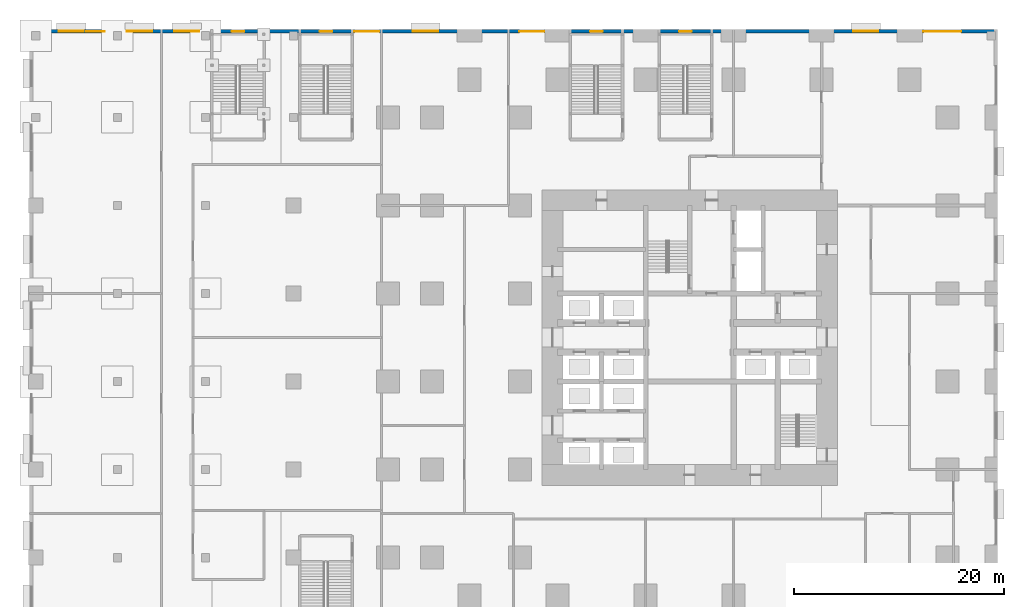
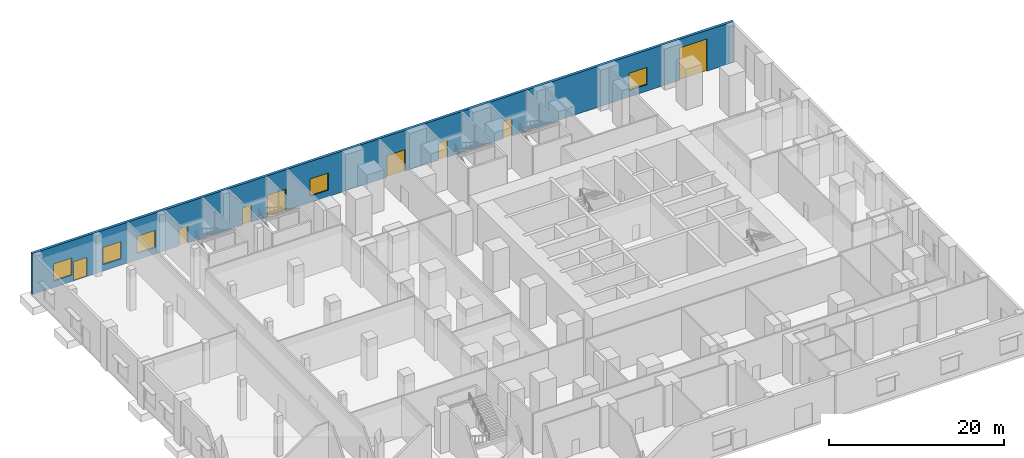
# One storey, part 21 of 26: 8 doors, 5 windows, 1 wall, 13 openings.
"""IFC4 building model written with IfcOpenShell, lengths in metres."""

import ifcopenshell
import ifcopenshell.guid

model = None  # the IFC model being written
_history = None  # IfcOwnerHistory: only IFC2X3 demands one
_inside = {}  # id of a spatial element -> (the spatial element, [elements in it])
_under = {}  # id of a project, library or spatial element -> (it, [spatial elements below it])
_declared = {}  # id of a project -> (the project, [libraries it declares])
_typed = {}  # id of a type object -> (the type object, [elements of that type])
_made_of = {}  # id of a material, layer set ... -> (it, [elements and type objects made of it])


def new_model(schema):
    """Start an empty IFC model of exactly this schema.

    Asked for "IFC4X3", IfcOpenShell would pick the latest addendum, in which some entities
    have other attributes; the version numbers below select the first issue.
    IFC2X3 requires an IfcOwnerHistory on every rooted entity: one is made here for all.
    """
    global model, _history
    if schema == "IFC4X3":
        model = ifcopenshell.file(schema_version=(4, 3, 0, 0))
    else:
        model = ifcopenshell.file(schema=schema)
    _inside.clear()
    _under.clear()
    _declared.clear()
    _typed.clear()
    _made_of.clear()
    _history = None
    if model.schema == "IFC2X3":
        org = make("IfcOrganization", Name="unknown")
        user = make(
            "IfcPersonAndOrganization",
            ThePerson=make("IfcPerson", FamilyName="unknown"),
            TheOrganization=org,
        )
        app = make(
            "IfcApplication",
            ApplicationDeveloper=org,
            Version="unknown",
            ApplicationFullName="unknown",
            ApplicationIdentifier="unknown",
        )
        _history = make(
            "IfcOwnerHistory",
            OwningUser=user,
            OwningApplication=app,
            ChangeAction="ADDED",
            CreationDate=0,
        )
    return model


def make(cls, **values):
    """One entity of the class cls with the attributes given. An attribute that is None is left unset."""
    return model.create_entity(
        cls, **{name: value for name, value in values.items() if value is not None}
    )


def rooted(cls, **values):
    """An entity with a GlobalId (a new one), such as an element, a storey or a relation."""
    return make(cls, GlobalId=ifcopenshell.guid.new(), OwnerHistory=_history, **values)


def si_unit(unit_type, name, prefix=None):
    """IfcSIUnit, for example si_unit("LENGTHUNIT", "METRE", prefix="MILLI")."""
    return make("IfcSIUnit", UnitType=unit_type, Prefix=prefix, Name=name)


def assignment(units):
    """IfcUnitAssignment: the units of a project."""
    return None if units is None else make("IfcUnitAssignment", Units=units)


def point(xyz):
    """IfcCartesianPoint."""
    return None if xyz is None else make("IfcCartesianPoint", Coordinates=xyz)


def direction(xyz):
    """IfcDirection."""
    return None if xyz is None else make("IfcDirection", DirectionRatios=xyz)


def frame(location, z_axis=None, x_axis=None):
    """IfcAxis2Placement3D, a coordinate frame: its origin and axes. An axis left out is left unset."""
    return make(
        "IfcAxis2Placement3D",
        Location=point(location),
        Axis=direction(z_axis),
        RefDirection=direction(x_axis),
    )


def frame_2d(location, x_axis=None):
    """IfcAxis2Placement2D, a coordinate frame in the plane: its origin and x axis."""
    return make(
        "IfcAxis2Placement2D", Location=point(location), RefDirection=direction(x_axis)
    )


def origin():
    """The frame at (0, 0, 0) with its axes left unset."""
    return frame((0.0, 0.0, 0.0))


def place(relative_to, where):
    """IfcLocalPlacement: puts the frame where relative to a parent placement (None: the world)."""
    return make(
        "IfcLocalPlacement", PlacementRelTo=relative_to, RelativePlacement=where
    )


def context(
    kind, dimensions, precision=None, world=None, true_north=None, identifier=None
):
    """IfcGeometricRepresentationContext, for example the 3D "Model" context."""
    return make(
        "IfcGeometricRepresentationContext",
        ContextIdentifier=identifier,
        ContextType=kind,
        CoordinateSpaceDimension=dimensions,
        Precision=precision,
        WorldCoordinateSystem=world,
        TrueNorth=true_north,
    )


def subcontext(parent, identifier, kind, view, scale=None):
    """IfcGeometricRepresentationSubContext, for example "Body" below "Model"."""
    return make(
        "IfcGeometricRepresentationSubContext",
        ContextIdentifier=identifier,
        ContextType=kind,
        ParentContext=parent,
        TargetScale=scale,
        TargetView=view,
    )


def project(units=None, contexts=None):
    """IfcProject with its units and contexts."""
    return rooted(
        "IfcProject",
        Name="project",
        RepresentationContexts=contexts,
        UnitsInContext=assignment(units),
    )


def spatial(cls, under=None, at=None, **own):
    """A site, building, storey or space (cls), placed at a placement, below another one or the project."""
    s = rooted(cls, ObjectPlacement=at, **own)
    if under is not None:
        _under.setdefault(under.id(), (under, []))[1].append(s)
    return s


def profile(cls, at=None, kind="AREA", **sizes):
    """A parametric profile (cls). Its sizes go by their IFC names, for example OverallWidth=200.0."""
    return make(cls, ProfileType=kind, Position=at, **sizes)


def rectangle(**sizes):
    """IfcRectangleProfileDef."""
    return profile("IfcRectangleProfileDef", **sizes)


def extrude(swept, where, along, depth):
    """IfcExtrudedAreaSolid: the profile swept, set in the frame where, extruded along a direction by depth."""
    return make(
        "IfcExtrudedAreaSolid",
        SweptArea=swept,
        Position=where,
        ExtrudedDirection=direction(along),
        Depth=depth,
    )


def shape(context_of_items, identifier, shape_type, items):
    """IfcShapeRepresentation: the items that make up one representation, for example the "Body"."""
    return make(
        "IfcShapeRepresentation",
        ContextOfItems=context_of_items,
        RepresentationIdentifier=identifier,
        RepresentationType=shape_type,
        Items=items,
    )


def material(Name=None, Category=None):
    """IfcMaterial."""
    return make("IfcMaterial", Name=Name, Category=Category)


def layer(
    of_material, thickness, ventilated=None, Name=None, Category=None, Priority=None
):
    """IfcMaterialLayer: one layer of a wall or slab, of a material (None: an air gap)."""
    return make(
        "IfcMaterialLayer",
        Material=of_material,
        LayerThickness=thickness,
        IsVentilated=ventilated,
        Name=Name,
        Category=Category,
        Priority=Priority,
    )


def layer_set(layers, Name=None):
    """IfcMaterialLayerSet."""
    return make("IfcMaterialLayerSet", MaterialLayers=layers, LayerSetName=Name)


def made_of(thing, what):
    """Note that an element or type object is made of a material, layer set ...; save() writes the relation."""
    if what is not None:
        _made_of.setdefault(what.id(), (what, []))[1].append(thing)
    return thing


def type_object(cls, material=None, **own):
    """A type object (cls), such as IfcWallType, which elements share."""
    return made_of(rooted(cls, **own), material)


def element(
    cls,
    number,
    at=None,
    inside=None,
    cuts=None,
    type_object=None,
    material=None,
    context=None,
    identifier="Body",
    shape_type=None,
    held_by="IfcProductDefinitionShape",
    body=None,
    shapes=None,
    **own,
):
    """One element of the class cls, such as IfcWall. Its Tag is "e" and its number.

    at: its placement. inside: the storey or other place that contains it. cuts: it is an
    opening in that element (IfcRelVoidsElement). A single representation is given by context,
    identifier, shape_type and body (its items); several are given by shapes. held_by: the class
    of the entity that holds the representations. save() writes the other relations.
    """
    e = rooted(cls, Tag="e%d" % number, ObjectPlacement=at, **own)
    if body is not None:
        shapes = [shape(context, identifier, shape_type, body)]
    if shapes is not None:
        e.Representation = make(held_by, Representations=shapes)
    if inside is not None:
        _inside.setdefault(inside.id(), (inside, []))[1].append(e)
    if cuts is not None:
        rooted(
            "IfcRelVoidsElement", RelatingBuildingElement=cuts, RelatedOpeningElement=e
        )
    if type_object is not None:
        _typed.setdefault(type_object.id(), (type_object, []))[1].append(e)
    return made_of(e, material)


def fill(opening, filler):
    """IfcRelFillsElement: the door or window that sits in an opening."""
    return rooted(
        "IfcRelFillsElement",
        RelatingOpeningElement=opening,
        RelatedBuildingElement=filler,
    )


def aggregate(whole, parts):
    """IfcRelAggregates: a whole, such as a stair, and the parts it consists of."""
    return rooted("IfcRelAggregates", RelatingObject=whole, RelatedObjects=parts)


def save(model, path):
    """Write the relations noted so far, then the file.

    IfcRelAggregates (storeys below a building ...), IfcRelContainedInSpatialStructure (elements
    in a storey), IfcRelDefinesByType, IfcRelAssociatesMaterial and IfcRelDeclares: one each for
    every whole, place, type object, material and project.
    """
    for whole, parts in _under.values():
        aggregate(whole, parts)
    for where, things in _inside.values():
        rooted(
            "IfcRelContainedInSpatialStructure",
            RelatedElements=things,
            RelatingStructure=where,
        )
    for kind, things in _typed.values():
        rooted("IfcRelDefinesByType", RelatedObjects=things, RelatingType=kind)
    for what, things in _made_of.values():
        rooted("IfcRelAssociatesMaterial", RelatedObjects=things, RelatingMaterial=what)
    for by, libraries in _declared.values():
        rooted("IfcRelDeclares", RelatingContext=by, RelatedDefinitions=libraries)
    model.write(path)


model = new_model("IFC4")

# Units and contexts
model_context = context("Model", 3, precision=1e-05, world=origin(), true_north=direction((0.0, 1.0)))
body_context = subcontext(model_context, "Body", "Model", "MODEL_VIEW")
ifc_project = project(units=[si_unit("LENGTHUNIT", "METRE"), si_unit("AREAUNIT", "SQUARE_METRE"), si_unit("VOLUMEUNIT", "CUBIC_METRE"), si_unit("PLANEANGLEUNIT", "RADIAN"), si_unit("MASSUNIT", "GRAM", prefix="KILO")], contexts=[model_context])

# Site, building, storey
site_placement = place(None, origin())
site = spatial("IfcSite", under=ifc_project, at=site_placement, CompositionType="ELEMENT")
building_placement = place(site_placement, origin())
building = spatial("IfcBuilding", under=site, at=building_placement, Name="Dunama Terrace Hotel", CompositionType="ELEMENT")
storey_placement = place(building_placement, origin())
storey = spatial("IfcBuildingStorey", under=building, at=storey_placement, Name="L00", CompositionType="ELEMENT", Elevation=0.0)

# Wall, openings, doors, windows
ifc_material_1 = material(Name="Granite-faced concrete blockwork", Category="masonry")
ifc_layer = layer(ifc_material_1, 0.35009765625)
ifc_layer_set = layer_set([ifc_layer], Name="Podium external wall 350")
wall_type = type_object("IfcWallType", Name="Podium external wall 350", PredefinedType="SOLIDWALL", material=ifc_layer_set)
wall_placement = place(storey_placement, frame((58.800048828125, 58.625, 0.0), z_axis=(0.0, 0.0, 1.0), x_axis=(-1.0, 0.0, 0.0)))
wall = element("IfcWall", 1, at=wall_placement, inside=storey, type_object=wall_type, Name="Podium external wall 350 L00", PredefinedType="SOLIDWALL", context=body_context, shape_type="SweptSolid", body=[
    extrude(rectangle(XDim=92.400146484375, YDim=0.35009765625, at=frame_2d((46.2001953125, 0.0))), origin(), (0.0, 0.0, 1.0), 5.699951171875),
])
opening_1_placement = place(wall_placement, frame((85.199951171875, 0.0, 0.0)))
opening_1 = element("IfcOpeningElement", 2, at=opening_1_placement, cuts=wall, Name="Opening L00-009", PredefinedType="OPENING", context=body_context, shape_type="SweptSolid", body=[
    extrude(rectangle(XDim=1.800048828125, YDim=2.699951171875, at=frame_2d((0.89990234375, 1.35009765625))), frame((0.0, 0.18505859375, 0.0), z_axis=(0.0, -1.0, 0.0), x_axis=(1.0, 0.0, 0.0)), (0.0, 0.0, 1.0), 0.3701171875),
])
opening_2_placement = place(wall_placement, frame((87.199951171875, 0.0, 0.89990234375)))
opening_2 = element("IfcOpeningElement", 3, at=opening_2_placement, cuts=wall, Name="Opening W1", PredefinedType="OPENING", context=body_context, shape_type="SweptSolid", body=[
    extrude(rectangle(XDim=2.39990234375, YDim=2.39990234375, at=frame_2d((1.199951171875, 1.199951171875))), frame((0.0, 0.18505859375, 0.0), z_axis=(0.0, -1.0, 0.0), x_axis=(1.0, 0.0, 0.0)), (0.0, 0.0, 1.0), 0.3701171875),
])
opening_3_placement = place(wall_placement, frame((80.699951171875, 0.0, 0.89990234375)))
opening_3 = element("IfcOpeningElement", 4, at=opening_3_placement, cuts=wall, Name="Opening W1", PredefinedType="OPENING", context=body_context, shape_type="SweptSolid", body=[
    extrude(rectangle(XDim=2.39990234375, YDim=2.39990234375, at=frame_2d((1.199951171875, 1.199951171875))), frame((0.0, 0.18505859375, 0.0), z_axis=(0.0, -1.0, 0.0), x_axis=(1.0, 0.0, 0.0)), (0.0, 0.0, 1.0), 0.3701171875),
])
opening_4_placement = place(wall_placement, frame((76.199951171875, 0.0, 0.89990234375)))
opening_4 = element("IfcOpeningElement", 5, at=opening_4_placement, cuts=wall, Name="Opening W1", PredefinedType="OPENING", context=body_context, shape_type="SweptSolid", body=[
    extrude(rectangle(XDim=2.39990234375, YDim=2.39990234375, at=frame_2d((1.199951171875, 1.199951171875))), frame((0.0, 0.18505859375, 0.0), z_axis=(0.0, -1.0, 0.0), x_axis=(1.0, 0.0, 0.0)), (0.0, 0.0, 1.0), 0.3701171875),
])
opening_5_placement = place(wall_placement, frame((71.89990234375, 0.0, 0.0)))
opening_5 = element("IfcOpeningElement", 6, at=opening_5_placement, cuts=wall, Name="Opening L00-010", PredefinedType="OPENING", context=body_context, shape_type="SweptSolid", body=[
    extrude(rectangle(XDim=1.199951171875, YDim=2.39990234375, at=frame_2d((0.60009765625, 1.199951171875))), frame((0.0, 0.18505859375, 0.0), z_axis=(0.0, -1.0, 0.0), x_axis=(1.0, 0.0, 0.0)), (0.0, 0.0, 1.0), 0.3701171875),
])
opening_6_placement = place(wall_placement, frame((63.5, 0.0, 0.0)))
opening_6 = element("IfcOpeningElement", 7, at=opening_6_placement, cuts=wall, Name="Opening L00-011", PredefinedType="OPENING", context=body_context, shape_type="SweptSolid", body=[
    extrude(rectangle(XDim=1.199951171875, YDim=2.39990234375, at=frame_2d((0.60009765625, 1.199951171875))), frame((0.0, 0.18505859375, 0.0), z_axis=(0.0, -1.0, 0.0), x_axis=(1.0, 0.0, 0.0)), (0.0, 0.0, 1.0), 0.3701171875),
])
opening_7_placement = place(wall_placement, frame((59.0, 0.0, 0.0)))
opening_7 = element("IfcOpeningElement", 8, at=opening_7_placement, cuts=wall, Name="Opening L00-012", PredefinedType="OPENING", context=body_context, shape_type="SweptSolid", body=[
    extrude(rectangle(XDim=2.39990234375, YDim=3.0, at=frame_2d((1.199951171875, 1.5))), frame((0.0, 0.18505859375, 0.0), z_axis=(0.0, -1.0, 0.0), x_axis=(1.0, 0.0, 0.0)), (0.0, 0.0, 1.0), 0.3701171875),
])
opening_8_placement = place(wall_placement, frame((53.39990234375, 0.0, 0.89990234375)))
opening_8 = element("IfcOpeningElement", 9, at=opening_8_placement, cuts=wall, Name="Opening W1", PredefinedType="OPENING", context=body_context, shape_type="SweptSolid", body=[
    extrude(rectangle(XDim=2.39990234375, YDim=2.39990234375, at=frame_2d((1.199951171875, 1.199951171875))), frame((0.0, 0.18505859375, 0.0), z_axis=(0.0, -1.0, 0.0), x_axis=(1.0, 0.0, 0.0)), (0.0, 0.0, 1.0), 0.3701171875),
])
opening_9_placement = place(wall_placement, frame((43.25, 0.0, 0.0)))
opening_9 = element("IfcOpeningElement", 10, at=opening_9_placement, cuts=wall, Name="Opening L00-013", PredefinedType="OPENING", context=body_context, shape_type="SweptSolid", body=[
    extrude(rectangle(XDim=2.39990234375, YDim=3.0, at=frame_2d((1.199951171875, 1.5))), frame((0.0, 0.18505859375, 0.0), z_axis=(0.0, -1.0, 0.0), x_axis=(1.0, 0.0, 0.0)), (0.0, 0.0, 1.0), 0.3701171875),
])
opening_10_placement = place(wall_placement, frame((37.699951171875, 0.0, 0.0)))
opening_10 = element("IfcOpeningElement", 11, at=opening_10_placement, cuts=wall, Name="Opening L00-014", PredefinedType="OPENING", context=body_context, shape_type="SweptSolid", body=[
    extrude(rectangle(XDim=1.199951171875, YDim=2.39990234375, at=frame_2d((0.60009765625, 1.199951171875))), frame((0.0, 0.18505859375, 0.0), z_axis=(0.0, -1.0, 0.0), x_axis=(1.0, 0.0, 0.0)), (0.0, 0.0, 1.0), 0.3701171875),
])
opening_11_placement = place(wall_placement, frame((29.199951171875, 0.0, 0.0)))
opening_11 = element("IfcOpeningElement", 12, at=opening_11_placement, cuts=wall, Name="Opening L00-015", PredefinedType="OPENING", context=body_context, shape_type="SweptSolid", body=[
    extrude(rectangle(XDim=1.199951171875, YDim=2.39990234375, at=frame_2d((0.60009765625, 1.199951171875))), frame((0.0, 0.18505859375, 0.0), z_axis=(0.0, -1.0, 0.0), x_axis=(1.0, 0.0, 0.0)), (0.0, 0.0, 1.0), 0.3701171875),
])
opening_12_placement = place(wall_placement, frame((3.5, 0.0, 0.0)))
opening_12 = element("IfcOpeningElement", 13, at=opening_12_placement, cuts=wall, Name="Opening L00-016", PredefinedType="OPENING", context=body_context, shape_type="SweptSolid", body=[
    extrude(rectangle(XDim=3.60009765625, YDim=4.5, at=frame_2d((1.800048828125, 2.25))), frame((0.0, 0.18505859375, 0.0), z_axis=(0.0, -1.0, 0.0), x_axis=(1.0, 0.0, 0.0)), (0.0, 0.0, 1.0), 0.3701171875),
])
opening_13_placement = place(wall_placement, frame((11.39990234375, 0.0, 0.89990234375)))
opening_13 = element("IfcOpeningElement", 14, at=opening_13_placement, cuts=wall, Name="Opening W1", PredefinedType="OPENING", context=body_context, shape_type="SweptSolid", body=[
    extrude(rectangle(XDim=2.39990234375, YDim=2.39990234375, at=frame_2d((1.199951171875, 1.199951171875))), frame((0.0, 0.18505859375, 0.0), z_axis=(0.0, -1.0, 0.0), x_axis=(1.0, 0.0, 0.0)), (0.0, 0.0, 1.0), 0.3701171875),
])
ifc_material_2 = material(Name="Timber door with steel frame", Category="steel")
door_type_1 = type_object("IfcDoorType", Name="Loading roller shutter 3600", OperationType="ROLLINGUP", PredefinedType="DOOR", material=ifc_material_2)
door_1_placement = place(opening_12_placement, origin())
door_1 = element("IfcDoor", 15, at=door_1_placement, inside=storey, type_object=door_type_1, Name="Loading dock shutter L00-016, type D13", OperationType="ROLLINGUP", OverallHeight=4.5, OverallWidth=3.60009765625, PredefinedType="DOOR", context=body_context, shape_type="SweptSolid", body=[
    extrude(rectangle(XDim=3.60009765625, YDim=4.5, at=frame_2d((1.800048828125, 2.25))), frame((0.0, 0.02490234375, 0.0), z_axis=(0.0, -1.0, 0.0), x_axis=(1.0, 0.0, 0.0)), (0.0, 0.0, 1.0), 0.050048828125),
])
fill(opening_12, door_1)
ifc_material_3 = material(Name="Aluminium-framed glazed door", Category="aluminium")
door_type_2 = type_object("IfcDoorType", Name="Main entrance door 2400", OperationType="DOUBLE_DOOR_DOUBLE_SWING", PredefinedType="DOOR", material=ifc_material_3)
door_2_placement = place(opening_7_placement, origin())
door_2 = element("IfcDoor", 16, at=door_2_placement, inside=storey, type_object=door_type_2, Name="Entrance door L00-012, type D14", OperationType="DOUBLE_DOOR_DOUBLE_SWING", OverallHeight=3.0, OverallWidth=2.39990234375, PredefinedType="DOOR", context=body_context, shape_type="SweptSolid", body=[
    extrude(rectangle(XDim=2.39990234375, YDim=3.0, at=frame_2d((1.199951171875, 1.5))), frame((0.0, 0.02490234375, 0.0), z_axis=(0.0, -1.0, 0.0), x_axis=(1.0, 0.0, 0.0)), (0.0, 0.0, 1.0), 0.050048828125),
])
fill(opening_7, door_2)
door_3_placement = place(opening_9_placement, origin())
door_3 = element("IfcDoor", 17, at=door_3_placement, inside=storey, type_object=door_type_2, Name="Entrance door L00-013, type D14", OperationType="DOUBLE_DOOR_DOUBLE_SWING", OverallHeight=3.0, OverallWidth=2.39990234375, PredefinedType="DOOR", context=body_context, shape_type="SweptSolid", body=[
    extrude(rectangle(XDim=2.39990234375, YDim=3.0, at=frame_2d((1.199951171875, 1.5))), frame((0.0, 0.02490234375, 0.0), z_axis=(0.0, -1.0, 0.0), x_axis=(1.0, 0.0, 0.0)), (0.0, 0.0, 1.0), 0.050048828125),
])
fill(opening_9, door_3)
ifc_material_4 = material(Name="Aluminium-framed double glazed window", Category="aluminium")
window_type = type_object("IfcWindowType", Name="Podium window 2400", PartitioningType="SINGLE_PANEL", PredefinedType="WINDOW", material=ifc_material_4)
window_1_placement = place(opening_2_placement, origin())
window_1 = element("IfcWindow", 18, at=window_1_placement, inside=storey, type_object=window_type, Name="Podium window 2400 L00", OverallHeight=2.39990234375, OverallWidth=2.39990234375, PartitioningType="SINGLE_PANEL", PredefinedType="WINDOW", context=body_context, shape_type="SweptSolid", body=[
    extrude(rectangle(XDim=2.39990234375, YDim=2.39990234375, at=frame_2d((1.199951171875, 1.199951171875))), frame((0.0, 0.030029296875, 0.0), z_axis=(0.0, -1.0, 0.0), x_axis=(1.0, 0.0, 0.0)), (0.0, 0.0, 1.0), 0.06005859375),
])
fill(opening_2, window_1)
window_2_placement = place(opening_3_placement, origin())
window_2 = element("IfcWindow", 19, at=window_2_placement, inside=storey, type_object=window_type, Name="Podium window 2400 L00", OverallHeight=2.39990234375, OverallWidth=2.39990234375, PartitioningType="SINGLE_PANEL", PredefinedType="WINDOW", context=body_context, shape_type="SweptSolid", body=[
    extrude(rectangle(XDim=2.39990234375, YDim=2.39990234375, at=frame_2d((1.199951171875, 1.199951171875))), frame((0.0, 0.030029296875, 0.0), z_axis=(0.0, -1.0, 0.0), x_axis=(1.0, 0.0, 0.0)), (0.0, 0.0, 1.0), 0.06005859375),
])
fill(opening_3, window_2)
window_3_placement = place(opening_4_placement, origin())
window_3 = element("IfcWindow", 20, at=window_3_placement, inside=storey, type_object=window_type, Name="Podium window 2400 L00", OverallHeight=2.39990234375, OverallWidth=2.39990234375, PartitioningType="SINGLE_PANEL", PredefinedType="WINDOW", context=body_context, shape_type="SweptSolid", body=[
    extrude(rectangle(XDim=2.39990234375, YDim=2.39990234375, at=frame_2d((1.199951171875, 1.199951171875))), frame((0.0, 0.030029296875, 0.0), z_axis=(0.0, -1.0, 0.0), x_axis=(1.0, 0.0, 0.0)), (0.0, 0.0, 1.0), 0.06005859375),
])
fill(opening_4, window_3)
window_4_placement = place(opening_8_placement, origin())
window_4 = element("IfcWindow", 21, at=window_4_placement, inside=storey, type_object=window_type, Name="Podium window 2400 L00", OverallHeight=2.39990234375, OverallWidth=2.39990234375, PartitioningType="SINGLE_PANEL", PredefinedType="WINDOW", context=body_context, shape_type="SweptSolid", body=[
    extrude(rectangle(XDim=2.39990234375, YDim=2.39990234375, at=frame_2d((1.199951171875, 1.199951171875))), frame((0.0, 0.030029296875, 0.0), z_axis=(0.0, -1.0, 0.0), x_axis=(1.0, 0.0, 0.0)), (0.0, 0.0, 1.0), 0.06005859375),
])
fill(opening_8, window_4)
window_5_placement = place(opening_13_placement, origin())
window_5 = element("IfcWindow", 22, at=window_5_placement, inside=storey, type_object=window_type, Name="Podium window 2400 L00", OverallHeight=2.39990234375, OverallWidth=2.39990234375, PartitioningType="SINGLE_PANEL", PredefinedType="WINDOW", context=body_context, shape_type="SweptSolid", body=[
    extrude(rectangle(XDim=2.39990234375, YDim=2.39990234375, at=frame_2d((1.199951171875, 1.199951171875))), frame((0.0, 0.030029296875, 0.0), z_axis=(0.0, -1.0, 0.0), x_axis=(1.0, 0.0, 0.0)), (0.0, 0.0, 1.0), 0.06005859375),
])
fill(opening_13, window_5)
ifc_material_5 = material(Name="Aluminium-framed glazed door", Category="aluminium")
door_type_3 = type_object("IfcDoorType", Name="Shopfront door 1800", OperationType="DOUBLE_DOOR_DOUBLE_SWING", PredefinedType="DOOR", material=ifc_material_5)
door_4_placement = place(opening_1_placement, origin())
door_4 = element("IfcDoor", 23, at=door_4_placement, inside=storey, type_object=door_type_3, Name="Street door Retail unit R3 L00-009, type D11", OperationType="DOUBLE_DOOR_DOUBLE_SWING", OverallHeight=2.699951171875, OverallWidth=1.800048828125, PredefinedType="DOOR", context=body_context, shape_type="SweptSolid", body=[
    extrude(rectangle(XDim=1.800048828125, YDim=2.699951171875, at=frame_2d((0.89990234375, 1.35009765625))), frame((0.0, 0.02490234375, 0.0), z_axis=(0.0, -1.0, 0.0), x_axis=(1.0, 0.0, 0.0)), (0.0, 0.0, 1.0), 0.050048828125),
])
fill(opening_1, door_4)
ifc_material_6 = material(Name="Timber door with steel frame", Category="steel")
door_type_4 = type_object("IfcDoorType", Name="Stair exit door 1200", OperationType="SINGLE_SWING_LEFT", PredefinedType="DOOR", material=ifc_material_6)
door_5_placement = place(opening_5_placement, frame((1.199951171875, 0.0, 0.0), z_axis=(0.0, 0.0, 1.0), x_axis=(-1.0, 0.0, 0.0)))
door_5 = element("IfcDoor", 24, at=door_5_placement, inside=storey, type_object=door_type_4, Name="Exit door Exit stair P1 L00-010, type D15", OperationType="SINGLE_SWING_LEFT", OverallHeight=2.39990234375, OverallWidth=1.199951171875, PredefinedType="DOOR", context=body_context, shape_type="SweptSolid", body=[
    extrude(rectangle(XDim=1.199951171875, YDim=2.39990234375, at=frame_2d((0.599853515625, 1.199951171875))), frame((0.0, 0.025146484375, 0.0), z_axis=(0.0, -1.0, 0.0), x_axis=(1.0, 0.0, 0.0)), (0.0, 0.0, 1.0), 0.050048828125),
])
fill(opening_5, door_5)
door_6_placement = place(opening_6_placement, frame((1.199951171875, 0.0, 0.0), z_axis=(0.0, 0.0, 1.0), x_axis=(-1.0, 0.0, 0.0)))
door_6 = element("IfcDoor", 25, at=door_6_placement, inside=storey, type_object=door_type_4, Name="Exit door Exit stair P3 L00-011, type D15", OperationType="SINGLE_SWING_LEFT", OverallHeight=2.39990234375, OverallWidth=1.199951171875, PredefinedType="DOOR", context=body_context, shape_type="SweptSolid", body=[
    extrude(rectangle(XDim=1.199951171875, YDim=2.39990234375, at=frame_2d((0.599853515625, 1.199951171875))), frame((0.0, 0.025146484375, 0.0), z_axis=(0.0, -1.0, 0.0), x_axis=(1.0, 0.0, 0.0)), (0.0, 0.0, 1.0), 0.050048828125),
])
fill(opening_6, door_6)
door_7_placement = place(opening_10_placement, frame((1.199951171875, 0.0, 0.0), z_axis=(0.0, 0.0, 1.0), x_axis=(-1.0, 0.0, 0.0)))
door_7 = element("IfcDoor", 26, at=door_7_placement, inside=storey, type_object=door_type_4, Name="Exit door Exit stair P5 L00-014, type D15", OperationType="SINGLE_SWING_LEFT", OverallHeight=2.39990234375, OverallWidth=1.199951171875, PredefinedType="DOOR", context=body_context, shape_type="SweptSolid", body=[
    extrude(rectangle(XDim=1.199951171875, YDim=2.39990234375, at=frame_2d((0.599853515625, 1.199951171875))), frame((0.0, 0.025146484375, 0.0), z_axis=(0.0, -1.0, 0.0), x_axis=(1.0, 0.0, 0.0)), (0.0, 0.0, 1.0), 0.050048828125),
])
fill(opening_10, door_7)
door_8_placement = place(opening_11_placement, frame((1.199951171875, 0.0, 0.0), z_axis=(0.0, 0.0, 1.0), x_axis=(-1.0, 0.0, 0.0)))
door_8 = element("IfcDoor", 27, at=door_8_placement, inside=storey, type_object=door_type_4, Name="Exit door Exit stair P6 L00-015, type D15", OperationType="SINGLE_SWING_LEFT", OverallHeight=2.39990234375, OverallWidth=1.199951171875, PredefinedType="DOOR", context=body_context, shape_type="SweptSolid", body=[
    extrude(rectangle(XDim=1.199951171875, YDim=2.39990234375, at=frame_2d((0.599853515625, 1.199951171875))), frame((0.0, 0.025146484375, 0.0), z_axis=(0.0, -1.0, 0.0), x_axis=(1.0, 0.0, 0.0)), (0.0, 0.0, 1.0), 0.050048828125),
])
fill(opening_11, door_8)

save(model, "model.ifc")
